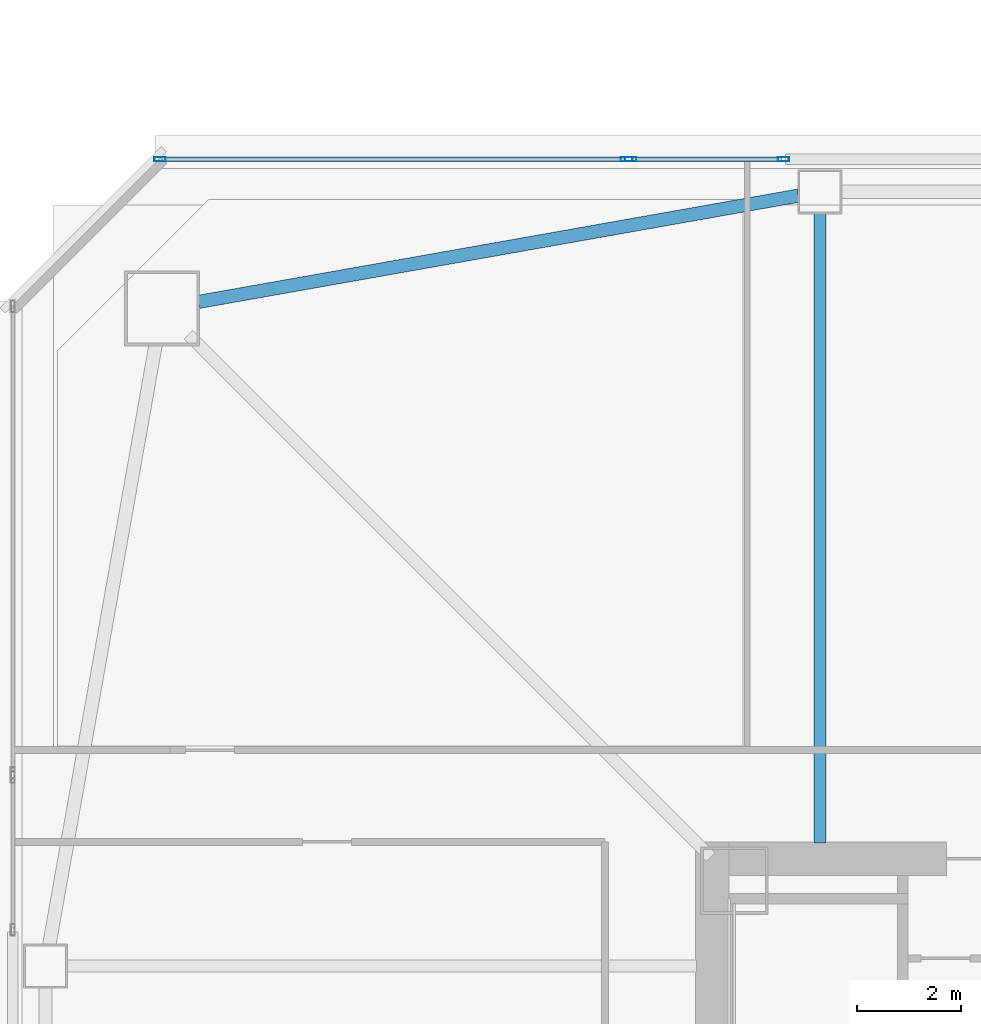
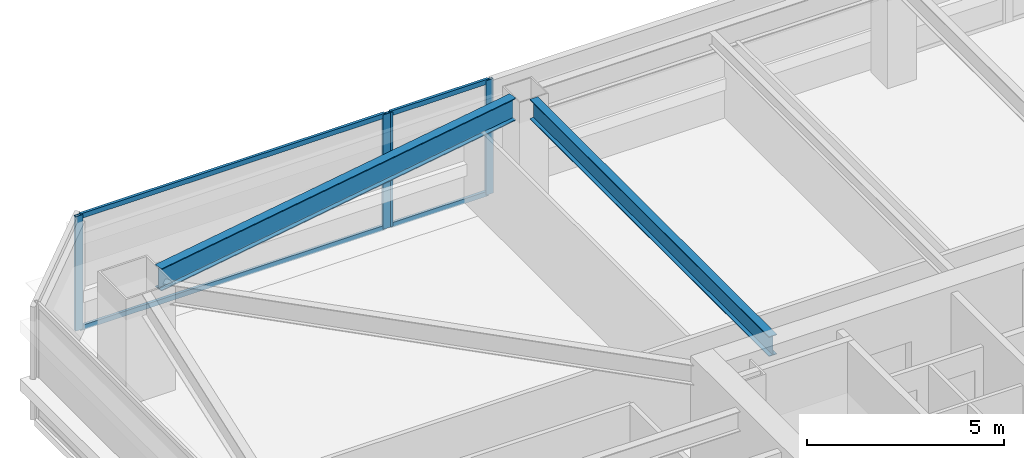
# One storey, part 12 of 44: 8 members, 2 beams, 2 elements without a shape of their own.
"""IFC4 building model written with IfcOpenShell, lengths in metres."""

from ifc_helpers import new_model, si_unit, direction, frame, origin, origin_2d, place, context, subcontext, project, spatial, hollow_rectangle, i_section, extrude, material, material_profile, profile_set, type_object, element, aggregate, save


model = new_model("IFC4")

# Units and contexts
model_context = context("Model", 3, precision=1e-05, world=origin(), true_north=direction((0.0, 1.0)))
body_context = subcontext(model_context, "Body", "Model", "MODEL_VIEW")
ifc_project = project(units=[si_unit("LENGTHUNIT", "METRE"), si_unit("AREAUNIT", "SQUARE_METRE"), si_unit("VOLUMEUNIT", "CUBIC_METRE"), si_unit("PLANEANGLEUNIT", "RADIAN"), si_unit("MASSUNIT", "GRAM", prefix="KILO")], contexts=[model_context])

# Site, building, storey
site_placement = place(None, origin())
site = spatial("IfcSite", under=ifc_project, at=site_placement, CompositionType="ELEMENT")
building_placement = place(site_placement, origin())
building = spatial("IfcBuilding", under=site, at=building_placement, Name="Tashvorn Skyway Center", CompositionType="ELEMENT")
storey_placement = place(building_placement, frame((0.0, 0.0, 102.699951171875)))
storey = spatial("IfcBuildingStorey", under=building, at=storey_placement, Name="L27", CompositionType="ELEMENT", Elevation=102.699951171875)

# Beams
ifc_material_1 = material(Name="Steel ASTM A992 Grade 50", Category="steel")
ifc_material_profile_1 = material_profile(ifc_material_1, i_section(OverallWidth=0.22998046875, OverallDepth=0.616943359375, WebThickness=0.01318359375, FlangeThickness=0.022216796875, at=origin_2d()), Name="W24X94")
ifc_profile_set_1 = profile_set([ifc_material_profile_1], Name="Steel ASTM A992 Grade 50")
beam_type_1 = type_object("IfcBeamType", Name="BM-BEAM-W24X94", PredefinedType="BEAM", material=ifc_profile_set_1)
beam_1_placement = place(storey_placement, frame((36.60009765625, 51.929931640625, 3.04150390625), z_axis=(0.0, -1.0, 0.0), x_axis=(1.0, 0.0, 0.0)))
element("IfcBeam", 1, at=beam_1_placement, inside=storey, type_object=beam_type_1, Name="Tower 1 L27 Primary Floor Girder FC-N2", PredefinedType="BEAM", context=body_context, shape_type="SweptSolid", body=[
    extrude(i_section(OverallWidth=0.22998046875, OverallDepth=0.616943359375, WebThickness=0.01318359375, FlangeThickness=0.022216796875, at=origin_2d()), origin(), (0.0, 0.0, 1.0), 12.14990234375),
])
ifc_material_profile_2 = material_profile(ifc_material_1, i_section(OverallWidth=0.256103515625, OverallDepth=0.693115234375, WebThickness=0.014404296875, FlangeThickness=0.023681640625, at=origin_2d()), Name="W27X114")
ifc_profile_set_2 = profile_set([ifc_material_profile_2], Name="Steel ASTM A992 Grade 50")
beam_type_2 = type_object("IfcBeamType", Name="BM-SPANDREL-W27X114", PredefinedType="SPANDREL", material=ifc_profile_set_2)
beam_2_placement = place(storey_placement, frame((36.1865234375, 52.276611328125, 3.003662109375), z_axis=(-0.98466816531, -0.174437966698, 0.0), x_axis=(0.174437966698, -0.98466816531, 0.0)))
element("IfcBeam", 2, at=beam_2_placement, inside=storey, type_object=beam_type_2, Name="Tower 1 L27 Spandrel Beam 09", PredefinedType="SPANDREL", context=body_context, shape_type="SweptSolid", body=[
    extrude(i_section(OverallWidth=0.256103515625, OverallDepth=0.693115234375, WebThickness=0.014404296875, FlangeThickness=0.023681640625, at=origin_2d()), origin(), (0.0, 0.0, 1.0), 11.7578125),
])

# Curtain wall, members
ifc_material_2 = material(Name="Thermally broken bronze-anodized aluminium 6063-T6", Category="aluminium")
curtain_wall_type = type_object("IfcCurtainWallType", Name="CW-CW-Z2", PredefinedType="NOTDEFINED", material=ifc_material_2)
curtain_wall_1_placement = place(storey_placement, origin())
curtain_wall_1 = element("IfcCurtainWall", 3, at=curtain_wall_1_placement, inside=storey, type_object=curtain_wall_type, Name="Tower 1 L27 North Unitised Curtain Wall Glazing Group 1", PredefinedType="NOTDEFINED")
ifc_material_profile_3 = material_profile(ifc_material_2, hollow_rectangle(XDim=0.080078125, YDim=0.219970703125, WallThickness=0.0048828125, at=origin_2d()), Name="ALU-MULL-80x220")
ifc_profile_set_3 = profile_set([ifc_material_profile_3], Name="Thermally broken bronze-anodized aluminium 6063-T6")
member_type_1 = type_object("IfcMemberType", Name="CWM-CW-Z2", PredefinedType="MULLION", material=ifc_profile_set_3)
member_1_placement = place(storey_placement, frame((23.860107421875, 52.97998046875, 0.0), z_axis=(0.0, 0.0, 1.0), x_axis=(0.0, 1.0, 0.0)))
member_1 = element("IfcMember", 4, at=member_1_placement, type_object=member_type_1, Name="CW-Z2 mullion 1", PredefinedType="MULLION", context=body_context, shape_type="SweptSolid", body=[
    extrude(hollow_rectangle(XDim=0.080078125, YDim=0.219970703125, WallThickness=0.0048828125, at=origin_2d()), origin(), (0.0, 0.0, 1.0), 3.550048828125),
])
member_2_placement = place(storey_placement, frame((32.8701171875, 52.97998046875, 0.0), z_axis=(0.0, 0.0, 1.0), x_axis=(0.0, 1.0, 0.0)))
member_2 = element("IfcMember", 5, at=member_2_placement, type_object=member_type_1, Name="CW-Z2 mullion 2", PredefinedType="MULLION", context=body_context, shape_type="SweptSolid", body=[
    extrude(hollow_rectangle(XDim=0.080078125, YDim=0.219970703125, WallThickness=0.0048828125, at=origin_2d()), origin(), (0.0, 0.0, 1.0), 3.550048828125),
])

curtain_wall_2_placement = place(storey_placement, origin())
curtain_wall_2 = element("IfcCurtainWall", 6, at=curtain_wall_2_placement, inside=storey, type_object=curtain_wall_type, Name="Tower 1 L27 North Unitised Curtain Wall Glazing Group 2", PredefinedType="NOTDEFINED")
member_3_placement = place(storey_placement, frame((32.949951171875, 52.97998046875, 0.0), z_axis=(0.0, 0.0, 1.0), x_axis=(0.0, 1.0, 0.0)))
member_3 = element("IfcMember", 7, at=member_3_placement, type_object=member_type_1, Name="CW-Z2 mullion 1", PredefinedType="MULLION", context=body_context, shape_type="SweptSolid", body=[
    extrude(hollow_rectangle(XDim=0.080078125, YDim=0.219970703125, WallThickness=0.0048828125, at=origin_2d()), origin(), (0.0, 0.0, 1.0), 3.550048828125),
])
member_4_placement = place(storey_placement, frame((35.89990234375, 52.97998046875, 0.0), z_axis=(0.0, 0.0, 1.0), x_axis=(0.0, 1.0, 0.0)))
member_4 = element("IfcMember", 8, at=member_4_placement, type_object=member_type_1, Name="CW-Z2 mullion 2", PredefinedType="MULLION", context=body_context, shape_type="SweptSolid", body=[
    extrude(hollow_rectangle(XDim=0.080078125, YDim=0.219970703125, WallThickness=0.0048828125, at=origin_2d()), origin(), (0.0, 0.0, 1.0), 3.550048828125),
])

# Member
ifc_material_profile_4 = material_profile(ifc_material_2, hollow_rectangle(XDim=0.080078125, YDim=0.14990234375, WallThickness=0.00439453125, at=origin_2d()), Name="ALU-TRAN-80x150")
ifc_profile_set_4 = profile_set([ifc_material_profile_4], Name="Thermally broken bronze-anodized aluminium 6063-T6")
member_type_2 = type_object("IfcMemberType", Name="CWT-CW-Z2", PredefinedType="USERDEFINED", material=ifc_profile_set_4)
member_5_placement = place(storey_placement, frame((23.89990234375, 52.97998046875, 0.0400390625), z_axis=(1.0, 0.0, 0.0), x_axis=(0.0, 1.0, 0.0)))
member_5 = element("IfcMember", 9, at=member_5_placement, type_object=member_type_2, Name="CW-Z2 transom 1.1", ObjectType="TRANSOM", PredefinedType="USERDEFINED", context=body_context, shape_type="SweptSolid", body=[
    extrude(hollow_rectangle(XDim=0.080078125, YDim=0.14990234375, WallThickness=0.00439453125, at=origin_2d()), origin(), (0.0, 0.0, 1.0), 8.93017578125),
])

member_6_placement = place(storey_placement, frame((23.89990234375, 52.97998046875, 3.510009765625), z_axis=(1.0, 0.0, 0.0), x_axis=(0.0, 1.0, 0.0)))
member_6 = element("IfcMember", 10, at=member_6_placement, type_object=member_type_2, Name="CW-Z2 transom 1.2", ObjectType="TRANSOM", PredefinedType="USERDEFINED", context=body_context, shape_type="SweptSolid", body=[
    extrude(hollow_rectangle(XDim=0.080078125, YDim=0.14990234375, WallThickness=0.00439453125, at=origin_2d()), origin(), (0.0, 0.0, 1.0), 8.93017578125),
])

aggregate(curtain_wall_1, [member_1, member_2, member_5, member_6])

member_7_placement = place(storey_placement, frame((32.989990234375, 52.97998046875, 0.0400390625), z_axis=(1.0, 0.0, 0.0), x_axis=(0.0, 1.0, 0.0)))
member_7 = element("IfcMember", 11, at=member_7_placement, type_object=member_type_2, Name="CW-Z2 transom 1.1", ObjectType="TRANSOM", PredefinedType="USERDEFINED", context=body_context, shape_type="SweptSolid", body=[
    extrude(hollow_rectangle(XDim=0.080078125, YDim=0.14990234375, WallThickness=0.00439453125, at=origin_2d()), origin(), (0.0, 0.0, 1.0), 2.8701171875),
])

member_8_placement = place(storey_placement, frame((32.989990234375, 52.97998046875, 3.510009765625), z_axis=(1.0, 0.0, 0.0), x_axis=(0.0, 1.0, 0.0)))
member_8 = element("IfcMember", 12, at=member_8_placement, type_object=member_type_2, Name="CW-Z2 transom 1.2", ObjectType="TRANSOM", PredefinedType="USERDEFINED", context=body_context, shape_type="SweptSolid", body=[
    extrude(hollow_rectangle(XDim=0.080078125, YDim=0.14990234375, WallThickness=0.00439453125, at=origin_2d()), origin(), (0.0, 0.0, 1.0), 2.8701171875),
])

aggregate(curtain_wall_2, [member_3, member_4, member_7, member_8])

save(model, "model.ifc")
